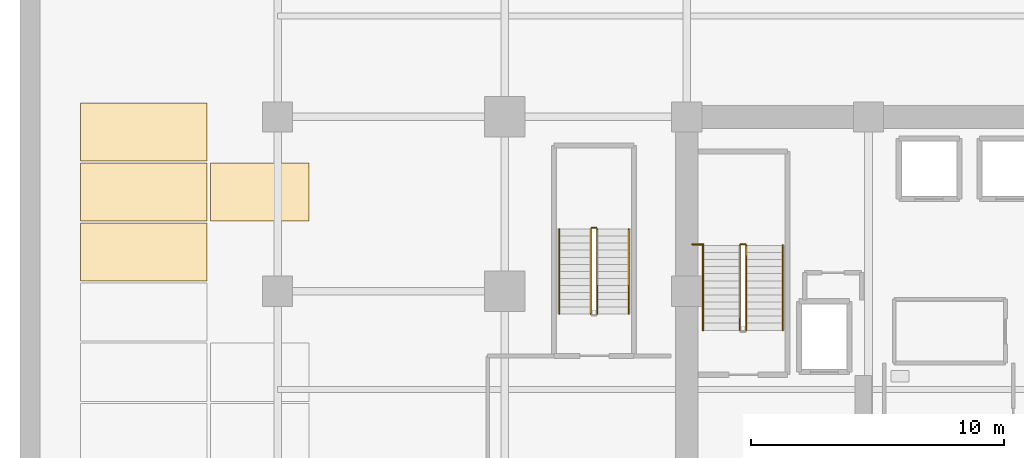
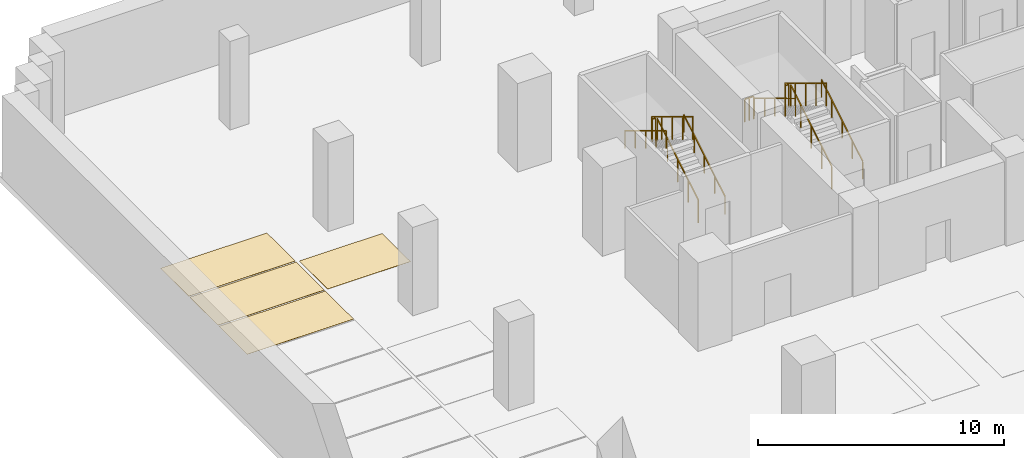
# One storey, part 10 of 13: 11 railings, 4 coverings.
"""IFC4 building model written with IfcOpenShell, lengths in metres."""

from ifc_helpers import new_model, si_unit, direction, frame, origin, origin_2d, place, context, subcontext, project, spatial, polyline, rectangle, outline, extrude, material, layer, layer_set, type_object, element, save


model = new_model("IFC4")

# Units and contexts
model_context = context("Model", 3, precision=1e-05, world=origin(), true_north=direction((0.0, 1.0)))
body_context = subcontext(model_context, "Body", "Model", "MODEL_VIEW")
ifc_project = project(units=[si_unit("LENGTHUNIT", "METRE"), si_unit("AREAUNIT", "SQUARE_METRE"), si_unit("VOLUMEUNIT", "CUBIC_METRE"), si_unit("PLANEANGLEUNIT", "RADIAN"), si_unit("MASSUNIT", "GRAM", prefix="KILO")], contexts=[model_context])

# Site, building, storey
site_placement = place(None, origin())
site = spatial("IfcSite", under=ifc_project, at=site_placement, CompositionType="ELEMENT")
building_placement = place(site_placement, origin())
building = spatial("IfcBuilding", under=site, at=building_placement, Name="Zarnakvel Exchange Tower", CompositionType="ELEMENT")
storey_placement = place(building_placement, frame((0.0, 0.0, -8.800048828125)))
storey = spatial("IfcBuildingStorey", under=building, at=storey_placement, Name="B02", CompositionType="ELEMENT", Elevation=-8.800048828125)

# Railings
ifc_material_1 = material(Name="Brushed Stainless Steel", Category="steel")
railing_type_1 = type_object("IfcRailingType", Name="HR-01", PredefinedType="HANDRAIL", material=ifc_material_1)
railing_1_placement = place(storey_placement, frame((-10.590087890625, 5.050048828125, 0.169189453125)))
element("IfcRailing", 1, at=railing_1_placement, inside=storey, type_object=railing_type_1, Name="B02 ST-01 stair handrail 1", PredefinedType="HANDRAIL", context=body_context, shape_type="SweptSolid", body=[
    extrude(rectangle(XDim=0.048095703125, YDim=0.048095703125, at=origin_2d()), frame((0.0, 0.0, 0.8759765625), z_axis=(0.0, 0.855820338506, 0.51727318527), x_axis=(-1.0, 0.0, 0.0)), (0.0, 0.0, 1.0), 3.92578125),
    extrude(rectangle(XDim=0.0419921875, YDim=0.0419921875, at=origin_2d()), origin(), (0.0, 0.0, 1.0), 0.851806640625),
    extrude(rectangle(XDim=0.0419921875, YDim=0.0419921875, at=origin_2d()), frame((0.0, 0.83984375, 0.5078125)), (0.0, 0.0, 1.0), 0.851806640625),
    extrude(rectangle(XDim=0.0419921875, YDim=0.0419921875, at=origin_2d()), frame((0.0, 1.679931640625, 1.015380859375)), (0.0, 0.0, 1.0), 0.851806640625),
    extrude(rectangle(XDim=0.0419921875, YDim=0.0419921875, at=origin_2d()), frame((0.0, 2.52001953125, 1.52294921875)), (0.0, 0.0, 1.0), 0.851806640625),
    extrude(rectangle(XDim=0.0419921875, YDim=0.0419921875, at=origin_2d()), frame((0.0, 3.35986328125, 2.03076171875)), (0.0, 0.0, 1.0), 0.851806640625),
])
railing_2_placement = place(storey_placement, frame((-13.75, 8.409912109375, 2.369384765625)))
element("IfcRailing", 2, at=railing_2_placement, inside=storey, type_object=railing_type_1, Name="B02 ST-01 stair handrail 2", PredefinedType="HANDRAIL", context=body_context, shape_type="SweptSolid", body=[
    extrude(rectangle(XDim=0.048095703125, YDim=0.048095703125, at=origin_2d()), frame((0.0, 0.0, 0.8759765625), z_axis=(0.0, -0.855820338506, 0.51727318527), x_axis=(1.0, 0.0, 0.0)), (0.0, 0.0, 1.0), 3.92578125),
    extrude(rectangle(XDim=0.0419921875, YDim=0.0419921875, at=origin_2d()), origin(), (0.0, 0.0, 1.0), 0.851806640625),
    extrude(rectangle(XDim=0.0419921875, YDim=0.0419921875, at=origin_2d()), frame((0.0, -0.83984375, 0.5078125)), (0.0, 0.0, 1.0), 0.851806640625),
    extrude(rectangle(XDim=0.0419921875, YDim=0.0419921875, at=origin_2d()), frame((0.0, -1.679931640625, 1.015380859375)), (0.0, 0.0, 1.0), 0.851806640625),
    extrude(rectangle(XDim=0.0419921875, YDim=0.0419921875, at=origin_2d()), frame((0.0, -2.52001953125, 1.52294921875)), (0.0, 0.0, 1.0), 0.851806640625),
    extrude(rectangle(XDim=0.0419921875, YDim=0.0419921875, at=origin_2d()), frame((0.0, -3.35986328125, 2.03076171875)), (0.0, 0.0, 1.0), 0.851806640625),
])
railing_3_placement = place(storey_placement, frame((-16.68994140625, 5.699951171875, 0.169189453125)))
element("IfcRailing", 3, at=railing_3_placement, inside=storey, type_object=railing_type_1, Name="B02 ST-05 stair handrail 1", PredefinedType="HANDRAIL", context=body_context, shape_type="SweptSolid", body=[
    extrude(rectangle(XDim=0.048095703125, YDim=0.048095703125, at=origin_2d()), frame((0.0, 0.0, 0.8759765625), z_axis=(0.0, 0.855836976705, 0.517245656632), x_axis=(-1.0, 0.0, 0.0)), (0.0, 0.0, 1.0), 3.926025390625),
    extrude(rectangle(XDim=0.0419921875, YDim=0.0419921875, at=origin_2d()), origin(), (0.0, 0.0, 1.0), 0.851806640625),
    extrude(rectangle(XDim=0.0419921875, YDim=0.0419921875, at=origin_2d()), frame((0.0, 0.840087890625, 0.5078125)), (0.0, 0.0, 1.0), 0.851806640625),
    extrude(rectangle(XDim=0.0419921875, YDim=0.0419921875, at=origin_2d()), frame((0.0, 1.68017578125, 1.015380859375)), (0.0, 0.0, 1.0), 0.851806640625),
    extrude(rectangle(XDim=0.0419921875, YDim=0.0419921875, at=origin_2d()), frame((0.0, 2.52001953125, 1.52294921875)), (0.0, 0.0, 1.0), 0.851806640625),
    extrude(rectangle(XDim=0.0419921875, YDim=0.0419921875, at=origin_2d()), frame((0.0, 3.360107421875, 2.03076171875)), (0.0, 0.0, 1.0), 0.851806640625),
])
railing_4_placement = place(storey_placement, frame((-19.449951171875, 9.06005859375, 2.369384765625)))
element("IfcRailing", 4, at=railing_4_placement, inside=storey, type_object=railing_type_1, Name="B02 ST-05 stair handrail 2", PredefinedType="HANDRAIL", context=body_context, shape_type="SweptSolid", body=[
    extrude(rectangle(XDim=0.048095703125, YDim=0.048095703125, at=origin_2d()), frame((0.0, 0.0, 0.8759765625), z_axis=(0.0, -0.855836976705, 0.517245656632), x_axis=(1.0, 0.0, 0.0)), (0.0, 0.0, 1.0), 3.926025390625),
    extrude(rectangle(XDim=0.0419921875, YDim=0.0419921875, at=origin_2d()), origin(), (0.0, 0.0, 1.0), 0.851806640625),
    extrude(rectangle(XDim=0.0419921875, YDim=0.0419921875, at=origin_2d()), frame((0.0, -0.840087890625, 0.5078125)), (0.0, 0.0, 1.0), 0.851806640625),
    extrude(rectangle(XDim=0.0419921875, YDim=0.0419921875, at=origin_2d()), frame((0.0, -1.68017578125, 1.015380859375)), (0.0, 0.0, 1.0), 0.851806640625),
    extrude(rectangle(XDim=0.0419921875, YDim=0.0419921875, at=origin_2d()), frame((0.0, -2.52001953125, 1.52294921875)), (0.0, 0.0, 1.0), 0.851806640625),
    extrude(rectangle(XDim=0.0419921875, YDim=0.0419921875, at=origin_2d()), frame((0.0, -3.360107421875, 2.03076171875)), (0.0, 0.0, 1.0), 0.851806640625),
])

# Coverings
ifc_material_2 = material(Name="Thermoplastic Acrylic Bay Marking", Category="finish")
ifc_layer = layer(ifc_material_2, 0.010009765625)
ifc_layer_set = layer_set([ifc_layer], Name="Thermoplastic Acrylic Bay Marking")
covering_type = type_object("IfcCoveringType", Name="MK-01", PredefinedType="FLOORING", material=ifc_layer_set)
covering_1_placement = place(storey_placement, origin())
element("IfcCovering", 5, at=covering_1_placement, inside=storey, type_object=covering_type, Name="B02 Standard Parking Bay Marking B02-33", PredefinedType="FLOORING", context=body_context, shape_type="SweptSolid", body=[
    extrude(outline(polyline([(-38.39990234375, 7.0), (-33.39990234375, 7.0), (-33.39990234375, 9.300048828125), (-38.39990234375, 9.300048828125), (-38.39990234375, 7.0)])), origin(), (0.0, 0.0, 1.0), 0.010009765625),
])
covering_2_placement = place(storey_placement, origin())
element("IfcCovering", 6, at=covering_2_placement, inside=storey, type_object=covering_type, Name="B02 Standard Parking Bay Marking B02-34", PredefinedType="FLOORING", context=body_context, shape_type="SweptSolid", body=[
    extrude(outline(polyline([(-38.39990234375, 9.3798828125), (-33.39990234375, 9.3798828125), (-33.39990234375, 11.679931640625), (-38.39990234375, 11.679931640625), (-38.39990234375, 9.3798828125)])), origin(), (0.0, 0.0, 1.0), 0.010009765625),
])
covering_3_placement = place(storey_placement, origin())
element("IfcCovering", 7, at=covering_3_placement, inside=storey, type_object=covering_type, Name="B02 Standard Parking Bay Marking B02-35", PredefinedType="FLOORING", context=body_context, shape_type="SweptSolid", body=[
    extrude(outline(polyline([(-38.39990234375, 11.760009765625), (-33.39990234375, 11.760009765625), (-33.39990234375, 14.06005859375), (-38.39990234375, 14.06005859375), (-38.39990234375, 11.760009765625)])), origin(), (0.0, 0.0, 1.0), 0.010009765625),
])
covering_4_placement = place(storey_placement, origin())
element("IfcCovering", 8, at=covering_4_placement, inside=storey, type_object=covering_type, Name="B02 Standard Parking Bay Marking B02-44", PredefinedType="FLOORING", context=body_context, shape_type="SweptSolid", body=[
    extrude(outline(polyline([(-33.25, 9.3798828125), (-29.35009765625, 9.3798828125), (-29.35009765625, 11.679931640625), (-33.25, 11.679931640625), (-33.25, 9.3798828125)])), origin(), (0.0, 0.0, 1.0), 0.010009765625),
])

# Railings
ifc_material_3 = material(Name="Architectural Bronze Anodised Aluminium", Category="aluminium")
railing_type_2 = type_object("IfcRailingType", Name="SG-01", PredefinedType="GUARDRAIL", material=ifc_material_3)
railing_5_placement = place(storey_placement, frame((-12.0400390625, 5.050048828125, 0.169189453125)))
element("IfcRailing", 9, at=railing_5_placement, inside=storey, type_object=railing_type_2, Name="B02 ST-01 stair guard 1", PredefinedType="GUARDRAIL", context=body_context, shape_type="SweptSolid", body=[
    extrude(rectangle(XDim=0.048095703125, YDim=0.048095703125, at=origin_2d()), frame((0.0, 0.0, 1.1259765625), z_axis=(0.0, 0.855820338506, 0.51727318527), x_axis=(-1.0, 0.0, 0.0)), (0.0, 0.0, 1.0), 3.92578125),
    extrude(rectangle(XDim=0.0419921875, YDim=0.0419921875, at=origin_2d()), origin(), (0.0, 0.0, 1.0), 1.101806640625),
    extrude(rectangle(XDim=0.0419921875, YDim=0.0419921875, at=origin_2d()), frame((0.0, 0.83984375, 0.5078125)), (0.0, 0.0, 1.0), 1.101806640625),
    extrude(rectangle(XDim=0.0419921875, YDim=0.0419921875, at=origin_2d()), frame((0.0, 1.679931640625, 1.015380859375)), (0.0, 0.0, 1.0), 1.101806640625),
    extrude(rectangle(XDim=0.0419921875, YDim=0.0419921875, at=origin_2d()), frame((0.0, 2.52001953125, 1.52294921875)), (0.0, 0.0, 1.0), 1.101806640625),
    extrude(rectangle(XDim=0.0419921875, YDim=0.0419921875, at=origin_2d()), frame((0.0, 3.35986328125, 2.03076171875)), (0.0, 0.0, 1.0), 1.101806640625),
])
railing_6_placement = place(storey_placement, frame((-12.090087890625, 8.4599609375, 2.199951171875)))
element("IfcRailing", 10, at=railing_6_placement, inside=storey, type_object=railing_type_2, Name="B02 ST-01 stair guard 2", PredefinedType="GUARDRAIL", context=body_context, shape_type="SweptSolid", body=[
    extrude(rectangle(XDim=0.048095703125, YDim=0.048095703125, at=origin_2d()), frame((0.0, 0.0, 1.1259765625), z_axis=(-1.0, 0.0, 0.0), x_axis=(0.0, -1.0, 0.0)), (0.0, 0.0, 1.0), 0.159912109375),
    extrude(rectangle(XDim=0.0419921875, YDim=0.0419921875, at=origin_2d()), origin(), (0.0, 0.0, 1.0), 1.101806640625),
    extrude(rectangle(XDim=0.0419921875, YDim=0.0419921875, at=origin_2d()), frame((-0.159912109375, 0.0, 0.0)), (0.0, 0.0, 1.0), 1.101806640625),
])
railing_7_placement = place(storey_placement, frame((-12.300048828125, 8.409912109375, 2.369384765625)))
element("IfcRailing", 11, at=railing_7_placement, inside=storey, type_object=railing_type_2, Name="B02 ST-01 stair guard 3", PredefinedType="GUARDRAIL", context=body_context, shape_type="SweptSolid", body=[
    extrude(rectangle(XDim=0.048095703125, YDim=0.048095703125, at=origin_2d()), frame((0.0, 0.0, 1.1259765625), z_axis=(0.0, -0.855820338506, 0.51727318527), x_axis=(1.0, 0.0, 0.0)), (0.0, 0.0, 1.0), 3.92578125),
    extrude(rectangle(XDim=0.0419921875, YDim=0.0419921875, at=origin_2d()), origin(), (0.0, 0.0, 1.0), 1.101806640625),
    extrude(rectangle(XDim=0.0419921875, YDim=0.0419921875, at=origin_2d()), frame((0.0, -0.83984375, 0.5078125)), (0.0, 0.0, 1.0), 1.101806640625),
    extrude(rectangle(XDim=0.0419921875, YDim=0.0419921875, at=origin_2d()), frame((0.0, -1.679931640625, 1.015380859375)), (0.0, 0.0, 1.0), 1.101806640625),
    extrude(rectangle(XDim=0.0419921875, YDim=0.0419921875, at=origin_2d()), frame((0.0, -2.52001953125, 1.52294921875)), (0.0, 0.0, 1.0), 1.101806640625),
    extrude(rectangle(XDim=0.0419921875, YDim=0.0419921875, at=origin_2d()), frame((0.0, -3.35986328125, 2.03076171875)), (0.0, 0.0, 1.0), 1.101806640625),
])
railing_8_placement = place(storey_placement, frame((-14.179931640625, 8.449951171875, 2.199951171875)))
element("IfcRailing", 12, at=railing_8_placement, inside=storey, type_object=railing_type_2, Name="B02 ST-01 Landing Slot Guardrail", PredefinedType="GUARDRAIL", context=body_context, shape_type="SweptSolid", body=[
    extrude(rectangle(XDim=0.048095703125, YDim=0.048095703125, at=origin_2d()), frame((0.0, 0.0, 1.1259765625), z_axis=(1.0, 0.0, 0.0), x_axis=(0.0, 1.0, 0.0)), (0.0, 0.0, 1.0), 0.429931640625),
    extrude(rectangle(XDim=0.0419921875, YDim=0.0419921875, at=origin_2d()), origin(), (0.0, 0.0, 1.0), 1.101806640625),
    extrude(rectangle(XDim=0.0419921875, YDim=0.0419921875, at=origin_2d()), frame((0.21484375, 0.0, 0.0)), (0.0, 0.0, 1.0), 1.101806640625),
    extrude(rectangle(XDim=0.0419921875, YDim=0.0419921875, at=origin_2d()), frame((0.429931640625, 0.0, 0.0)), (0.0, 0.0, 1.0), 1.101806640625),
])
railing_9_placement = place(storey_placement, frame((-17.93994140625, 5.699951171875, 0.169189453125)))
element("IfcRailing", 13, at=railing_9_placement, inside=storey, type_object=railing_type_2, Name="B02 ST-05 stair guard 1", PredefinedType="GUARDRAIL", context=body_context, shape_type="SweptSolid", body=[
    extrude(rectangle(XDim=0.048095703125, YDim=0.048095703125, at=origin_2d()), frame((0.0, 0.0, 1.1259765625), z_axis=(0.0, 0.855836976705, 0.517245656632), x_axis=(-1.0, 0.0, 0.0)), (0.0, 0.0, 1.0), 3.926025390625),
    extrude(rectangle(XDim=0.0419921875, YDim=0.0419921875, at=origin_2d()), origin(), (0.0, 0.0, 1.0), 1.101806640625),
    extrude(rectangle(XDim=0.0419921875, YDim=0.0419921875, at=origin_2d()), frame((0.0, 0.840087890625, 0.5078125)), (0.0, 0.0, 1.0), 1.101806640625),
    extrude(rectangle(XDim=0.0419921875, YDim=0.0419921875, at=origin_2d()), frame((0.0, 1.68017578125, 1.015380859375)), (0.0, 0.0, 1.0), 1.101806640625),
    extrude(rectangle(XDim=0.0419921875, YDim=0.0419921875, at=origin_2d()), frame((0.0, 2.52001953125, 1.52294921875)), (0.0, 0.0, 1.0), 1.101806640625),
    extrude(rectangle(XDim=0.0419921875, YDim=0.0419921875, at=origin_2d()), frame((0.0, 3.360107421875, 2.03076171875)), (0.0, 0.0, 1.0), 1.101806640625),
])
railing_10_placement = place(storey_placement, frame((-17.989990234375, 9.110107421875, 2.199951171875)))
element("IfcRailing", 14, at=railing_10_placement, inside=storey, type_object=railing_type_2, Name="B02 ST-05 stair guard 2", PredefinedType="GUARDRAIL", context=body_context, shape_type="SweptSolid", body=[
    extrude(rectangle(XDim=0.048095703125, YDim=0.048095703125, at=origin_2d()), frame((0.0, 0.0, 1.1259765625), z_axis=(-1.0, 0.0, 0.0), x_axis=(0.0, -1.0, 0.0)), (0.0, 0.0, 1.0), 0.159912109375),
    extrude(rectangle(XDim=0.0419921875, YDim=0.0419921875, at=origin_2d()), origin(), (0.0, 0.0, 1.0), 1.101806640625),
    extrude(rectangle(XDim=0.0419921875, YDim=0.0419921875, at=origin_2d()), frame((-0.159912109375, 0.0, 0.0)), (0.0, 0.0, 1.0), 1.101806640625),
])
railing_11_placement = place(storey_placement, frame((-18.199951171875, 9.06005859375, 2.369384765625)))
element("IfcRailing", 15, at=railing_11_placement, inside=storey, type_object=railing_type_2, Name="B02 ST-05 stair guard 3", PredefinedType="GUARDRAIL", context=body_context, shape_type="SweptSolid", body=[
    extrude(rectangle(XDim=0.048095703125, YDim=0.048095703125, at=origin_2d()), frame((0.0, 0.0, 1.1259765625), z_axis=(0.0, -0.855836976705, 0.517245656632), x_axis=(1.0, 0.0, 0.0)), (0.0, 0.0, 1.0), 3.926025390625),
    extrude(rectangle(XDim=0.0419921875, YDim=0.0419921875, at=origin_2d()), origin(), (0.0, 0.0, 1.0), 1.101806640625),
    extrude(rectangle(XDim=0.0419921875, YDim=0.0419921875, at=origin_2d()), frame((0.0, -0.840087890625, 0.5078125)), (0.0, 0.0, 1.0), 1.101806640625),
    extrude(rectangle(XDim=0.0419921875, YDim=0.0419921875, at=origin_2d()), frame((0.0, -1.68017578125, 1.015380859375)), (0.0, 0.0, 1.0), 1.101806640625),
    extrude(rectangle(XDim=0.0419921875, YDim=0.0419921875, at=origin_2d()), frame((0.0, -2.52001953125, 1.52294921875)), (0.0, 0.0, 1.0), 1.101806640625),
    extrude(rectangle(XDim=0.0419921875, YDim=0.0419921875, at=origin_2d()), frame((0.0, -3.360107421875, 2.03076171875)), (0.0, 0.0, 1.0), 1.101806640625),
])

save(model, "model.ifc")
